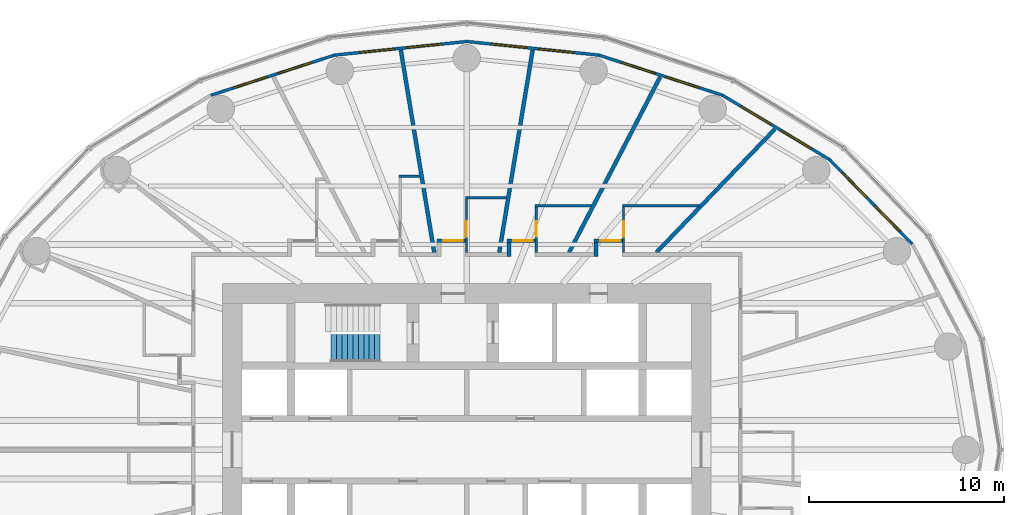
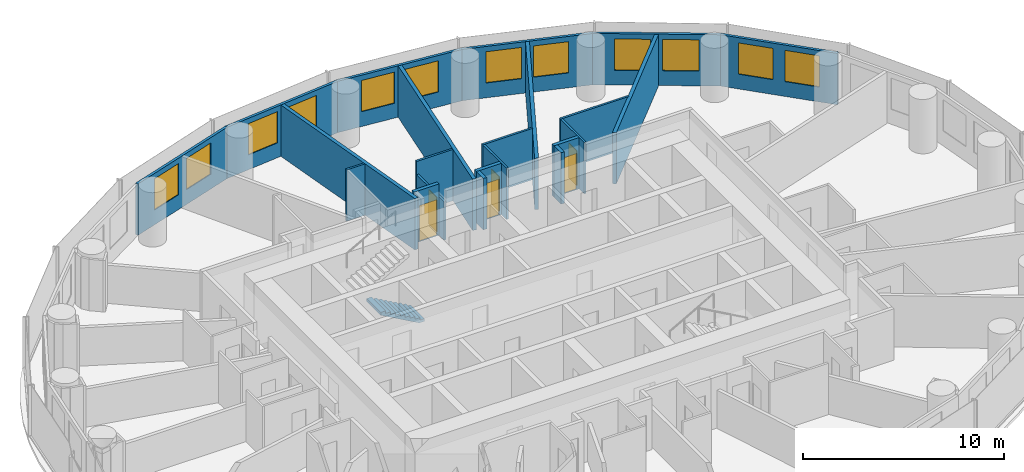
# One storey, part 12 of 14: 22 walls, 12 windows, 6 doors, 1 stair flight, 18 openings, 1 element without a shape of its own.
"""IFC4 building model written with IfcOpenShell, lengths in metres."""

from ifc_helpers import new_model, si_unit, direction, frame, frame_2d, origin, place, context, subcontext, project, spatial, polyline, rectangle, outline, extrude, material, layer, layer_set, type_object, element, fill, aggregate, save


model = new_model("IFC4")

# Units and contexts
model_context = context("Model", 3, precision=1e-05, world=origin(), true_north=direction((0.0, 1.0)))
body_context = subcontext(model_context, "Body", "Model", "MODEL_VIEW")
ifc_project = project(units=[si_unit("LENGTHUNIT", "METRE"), si_unit("AREAUNIT", "SQUARE_METRE"), si_unit("VOLUMEUNIT", "CUBIC_METRE"), si_unit("PLANEANGLEUNIT", "RADIAN"), si_unit("MASSUNIT", "GRAM", prefix="KILO")], contexts=[model_context])

# Site, building, storey
site_placement = place(None, origin())
site = spatial("IfcSite", under=ifc_project, at=site_placement, CompositionType="ELEMENT")
building_placement = place(site_placement, origin())
building = spatial("IfcBuilding", under=site, at=building_placement, Name="Hankou Lantern Tower", CompositionType="ELEMENT")
storey_placement = place(building_placement, frame((0.0, 0.0, 50.699951171875)))
storey = spatial("IfcBuildingStorey", under=building, at=storey_placement, Name="L11", CompositionType="ELEMENT", Elevation=50.699951171875)

# Wall, openings, windows
ifc_material_1 = material(Name="Aluminium spandrel panel on steel studs", Category="steel")
ifc_layer_1 = layer(ifc_material_1, 0.14990234375)
ifc_layer_set_1 = layer_set([ifc_layer_1], Name="Aluminium spandrel panel on steel studs")
wall_type_1 = type_object("IfcWallType", Name="EW1 INNER SKIN WALL 150", PredefinedType="ELEMENTEDWALL", material=ifc_layer_set_1)
wall_1_placement = place(storey_placement, frame((22.802734375, 10.5322265625, 0.0), z_axis=(0.0, 0.0, 1.0), x_axis=(-0.699602905915, 0.714531856557, 0.0)))
wall_1 = element("IfcWall", 1, at=wall_1_placement, inside=storey, type_object=wall_type_1, Name="Inner skin R03-R04 L11", PredefinedType="ELEMENTEDWALL", context=body_context, shape_type="SweptSolid", body=[
    extrude(rectangle(XDim=6.05078125, YDim=0.14990234375, at=frame_2d((3.025390625, 0.0))), origin(), (0.0, 0.0, 1.0), 3.1201171875),
])
opening_1_placement = place(wall_1_placement, frame((0.925537109375, 0.0, 0.89990234375)))
opening_1 = element("IfcOpeningElement", 2, at=opening_1_placement, cuts=wall_1, Name="Opening W1", PredefinedType="OPENING", context=body_context, shape_type="SweptSolid", body=[
    extrude(rectangle(XDim=1.800048828125, YDim=1.89990234375, at=frame_2d((0.89990234375, 0.949951171875))), frame((0.0, 0.0849609375, 0.0), z_axis=(0.0, -1.0, 0.0), x_axis=(1.0, 0.0, 0.0)), (0.0, 0.0, 1.0), 0.169921875),
])
opening_2_placement = place(wall_1_placement, frame((3.325439453125, 0.0, 0.89990234375)))
opening_2 = element("IfcOpeningElement", 3, at=opening_2_placement, cuts=wall_1, Name="Opening W1", PredefinedType="OPENING", context=body_context, shape_type="SweptSolid", body=[
    extrude(rectangle(XDim=1.800048828125, YDim=1.89990234375, at=frame_2d((0.89990234375, 0.949951171875))), frame((0.0, 0.0849609375, 0.0), z_axis=(0.0, -1.0, 0.0), x_axis=(1.0, 0.0, 0.0)), (0.0, 0.0, 1.0), 0.169921875),
])
ifc_material_2 = material(Name="Aluminium framed double glazed window", Category="aluminium")
window_type = type_object("IfcWindowType", Name="W1 GUEST ROOM WINDOW 1800X1900", PartitioningType="DOUBLE_PANEL_VERTICAL", PredefinedType="WINDOW", material=ifc_material_2)
window_1_placement = place(opening_1_placement, origin())
window_1 = element("IfcWindow", 4, at=window_1_placement, inside=storey, type_object=window_type, Name="Window R03.1 L11", OverallHeight=1.89990234375, OverallWidth=1.800048828125, PartitioningType="SINGLE_PANEL", PredefinedType="WINDOW", context=body_context, shape_type="SweptSolid", body=[
    extrude(rectangle(XDim=1.800048828125, YDim=1.89990234375, at=frame_2d((0.89990234375, 0.949951171875))), frame((0.0, 0.030029296875, 0.0), z_axis=(0.0, -1.0, 0.0), x_axis=(1.0, 0.0, 0.0)), (0.0, 0.0, 1.0), 0.06005859375),
])
fill(opening_1, window_1)
window_2_placement = place(opening_2_placement, origin())
window_2 = element("IfcWindow", 5, at=window_2_placement, inside=storey, type_object=window_type, Name="Window R03.2 L11", OverallHeight=1.89990234375, OverallWidth=1.800048828125, PartitioningType="SINGLE_PANEL", PredefinedType="WINDOW", context=body_context, shape_type="SweptSolid", body=[
    extrude(rectangle(XDim=1.800048828125, YDim=1.89990234375, at=frame_2d((0.89990234375, 0.949951171875))), frame((0.0, 0.030029296875, 0.0), z_axis=(0.0, -1.0, 0.0), x_axis=(1.0, 0.0, 0.0)), (0.0, 0.0, 1.0), 0.06005859375),
])
fill(opening_2, window_2)

wall_2_placement = place(storey_placement, frame((18.569580078125, 14.855712890625, 0.0), z_axis=(0.0, 0.0, 1.0), x_axis=(-0.856983180864, 0.515344377787, 0.0)))
wall_2 = element("IfcWall", 6, at=wall_2_placement, inside=storey, type_object=wall_type_1, Name="Inner skin R04-R05 L11", PredefinedType="ELEMENTEDWALL", context=body_context, shape_type="SweptSolid", body=[
    extrude(rectangle(XDim=6.386474609375, YDim=0.14990234375, at=frame_2d((3.193359375, 0.0))), origin(), (0.0, 0.0, 1.0), 3.1201171875),
])
opening_3_placement = place(wall_2_placement, frame((1.09326171875, 0.0, 0.89990234375)))
opening_3 = element("IfcOpeningElement", 7, at=opening_3_placement, cuts=wall_2, Name="Opening W1", PredefinedType="OPENING", context=body_context, shape_type="SweptSolid", body=[
    extrude(rectangle(XDim=1.800048828125, YDim=1.89990234375, at=frame_2d((0.89990234375, 0.949951171875))), frame((0.0, 0.0849609375, 0.0), z_axis=(0.0, -1.0, 0.0), x_axis=(1.0, 0.0, 0.0)), (0.0, 0.0, 1.0), 0.169921875),
])
opening_4_placement = place(wall_2_placement, frame((3.4931640625, 0.0, 0.89990234375)))
opening_4 = element("IfcOpeningElement", 8, at=opening_4_placement, cuts=wall_2, Name="Opening W1", PredefinedType="OPENING", context=body_context, shape_type="SweptSolid", body=[
    extrude(rectangle(XDim=1.800048828125, YDim=1.89990234375, at=frame_2d((0.89990234375, 0.949951171875))), frame((0.0, 0.0849609375, 0.0), z_axis=(0.0, -1.0, 0.0), x_axis=(1.0, 0.0, 0.0)), (0.0, 0.0, 1.0), 0.169921875),
])
window_3_placement = place(opening_3_placement, origin())
window_3 = element("IfcWindow", 9, at=window_3_placement, inside=storey, type_object=window_type, Name="Window R04.1 L11", OverallHeight=1.89990234375, OverallWidth=1.800048828125, PartitioningType="SINGLE_PANEL", PredefinedType="WINDOW", context=body_context, shape_type="SweptSolid", body=[
    extrude(rectangle(XDim=1.800048828125, YDim=1.89990234375, at=frame_2d((0.89990234375, 0.949951171875))), frame((0.0, 0.030029296875, 0.0), z_axis=(0.0, -1.0, 0.0), x_axis=(1.0, 0.0, 0.0)), (0.0, 0.0, 1.0), 0.06005859375),
])
fill(opening_3, window_3)
window_4_placement = place(opening_4_placement, origin())
window_4 = element("IfcWindow", 10, at=window_4_placement, inside=storey, type_object=window_type, Name="Window R04.2 L11", OverallHeight=1.89990234375, OverallWidth=1.800048828125, PartitioningType="SINGLE_PANEL", PredefinedType="WINDOW", context=body_context, shape_type="SweptSolid", body=[
    extrude(rectangle(XDim=1.800048828125, YDim=1.89990234375, at=frame_2d((0.89990234375, 0.949951171875))), frame((0.0, 0.030029296875, 0.0), z_axis=(0.0, -1.0, 0.0), x_axis=(1.0, 0.0, 0.0)), (0.0, 0.0, 1.0), 0.06005859375),
])
fill(opening_4, window_4)

wall_3_placement = place(storey_placement, frame((13.096435546875, 18.14697265625, 0.0), z_axis=(0.0, 0.0, 1.0), x_axis=(-0.951137534625, 0.308767534285, 0.0)))
wall_3 = element("IfcWall", 11, at=wall_3_placement, inside=storey, type_object=wall_type_1, Name="Inner skin R05-R06 L11", PredefinedType="ELEMENTEDWALL", context=body_context, shape_type="SweptSolid", body=[
    extrude(rectangle(XDim=6.6552734375, YDim=0.14990234375, at=frame_2d((3.32763671875, 0.0))), origin(), (0.0, 0.0, 1.0), 3.1201171875),
])
opening_5_placement = place(wall_3_placement, frame((1.2275390625, 0.0, 0.89990234375)))
opening_5 = element("IfcOpeningElement", 12, at=opening_5_placement, cuts=wall_3, Name="Opening W1", PredefinedType="OPENING", context=body_context, shape_type="SweptSolid", body=[
    extrude(rectangle(XDim=1.800048828125, YDim=1.89990234375, at=frame_2d((0.89990234375, 0.949951171875))), frame((0.0, 0.0849609375, 0.0), z_axis=(0.0, -1.0, 0.0), x_axis=(1.0, 0.0, 0.0)), (0.0, 0.0, 1.0), 0.169921875),
])
opening_6_placement = place(wall_3_placement, frame((3.627685546875, 0.0, 0.89990234375)))
opening_6 = element("IfcOpeningElement", 13, at=opening_6_placement, cuts=wall_3, Name="Opening W1", PredefinedType="OPENING", context=body_context, shape_type="SweptSolid", body=[
    extrude(rectangle(XDim=1.800048828125, YDim=1.89990234375, at=frame_2d((0.89990234375, 0.949951171875))), frame((0.0, 0.0849609375, 0.0), z_axis=(0.0, -1.0, 0.0), x_axis=(1.0, 0.0, 0.0)), (0.0, 0.0, 1.0), 0.169921875),
])
window_5_placement = place(opening_5_placement, origin())
window_5 = element("IfcWindow", 14, at=window_5_placement, inside=storey, type_object=window_type, Name="Window R05.1 L11", OverallHeight=1.89990234375, OverallWidth=1.800048828125, PartitioningType="SINGLE_PANEL", PredefinedType="WINDOW", context=body_context, shape_type="SweptSolid", body=[
    extrude(rectangle(XDim=1.800048828125, YDim=1.89990234375, at=frame_2d((0.89990234375, 0.949951171875))), frame((0.0, 0.030029296875, 0.0), z_axis=(0.0, -1.0, 0.0), x_axis=(1.0, 0.0, 0.0)), (0.0, 0.0, 1.0), 0.06005859375),
])
fill(opening_5, window_5)
window_6_placement = place(opening_6_placement, origin())
window_6 = element("IfcWindow", 15, at=window_6_placement, inside=storey, type_object=window_type, Name="Window R05.2 L11", OverallHeight=1.89990234375, OverallWidth=1.800048828125, PartitioningType="SINGLE_PANEL", PredefinedType="WINDOW", context=body_context, shape_type="SweptSolid", body=[
    extrude(rectangle(XDim=1.800048828125, YDim=1.89990234375, at=frame_2d((0.89990234375, 0.949951171875))), frame((0.0, 0.030029296875, 0.0), z_axis=(0.0, -1.0, 0.0), x_axis=(1.0, 0.0, 0.0)), (0.0, 0.0, 1.0), 0.06005859375),
])
fill(opening_6, window_6)

wall_4_placement = place(storey_placement, frame((6.766357421875, 20.201904296875, 0.0), z_axis=(0.0, 0.0, 1.0), x_axis=(-0.994721394369, 0.102612609291, 0.0)))
wall_4 = element("IfcWall", 16, at=wall_4_placement, inside=storey, type_object=wall_type_1, Name="Inner skin R06-R07 L11", PredefinedType="ELEMENTEDWALL", context=body_context, shape_type="SweptSolid", body=[
    extrude(rectangle(XDim=6.80224609375, YDim=0.14990234375, at=frame_2d((3.401123046875, 0.0))), origin(), (0.0, 0.0, 1.0), 3.1201171875),
])
opening_7_placement = place(wall_4_placement, frame((1.301025390625, 0.0, 0.89990234375)))
opening_7 = element("IfcOpeningElement", 17, at=opening_7_placement, cuts=wall_4, Name="Opening W1", PredefinedType="OPENING", context=body_context, shape_type="SweptSolid", body=[
    extrude(rectangle(XDim=1.800048828125, YDim=1.89990234375, at=frame_2d((0.89990234375, 0.949951171875))), frame((0.0, 0.0849609375, 0.0), z_axis=(0.0, -1.0, 0.0), x_axis=(1.0, 0.0, 0.0)), (0.0, 0.0, 1.0), 0.169921875),
])
opening_8_placement = place(wall_4_placement, frame((3.701171875, 0.0, 0.89990234375)))
opening_8 = element("IfcOpeningElement", 18, at=opening_8_placement, cuts=wall_4, Name="Opening W1", PredefinedType="OPENING", context=body_context, shape_type="SweptSolid", body=[
    extrude(rectangle(XDim=1.800048828125, YDim=1.89990234375, at=frame_2d((0.89990234375, 0.949951171875))), frame((0.0, 0.0849609375, 0.0), z_axis=(0.0, -1.0, 0.0), x_axis=(1.0, 0.0, 0.0)), (0.0, 0.0, 1.0), 0.169921875),
])
window_7_placement = place(opening_7_placement, origin())
window_7 = element("IfcWindow", 19, at=window_7_placement, inside=storey, type_object=window_type, Name="Window R06.1 L11", OverallHeight=1.89990234375, OverallWidth=1.800048828125, PartitioningType="SINGLE_PANEL", PredefinedType="WINDOW", context=body_context, shape_type="SweptSolid", body=[
    extrude(rectangle(XDim=1.800048828125, YDim=1.89990234375, at=frame_2d((0.89990234375, 0.949951171875))), frame((0.0, 0.030029296875, 0.0), z_axis=(0.0, -1.0, 0.0), x_axis=(1.0, 0.0, 0.0)), (0.0, 0.0, 1.0), 0.06005859375),
])
fill(opening_7, window_7)
window_8_placement = place(opening_8_placement, origin())
window_8 = element("IfcWindow", 20, at=window_8_placement, inside=storey, type_object=window_type, Name="Window R06.2 L11", OverallHeight=1.89990234375, OverallWidth=1.800048828125, PartitioningType="SINGLE_PANEL", PredefinedType="WINDOW", context=body_context, shape_type="SweptSolid", body=[
    extrude(rectangle(XDim=1.800048828125, YDim=1.89990234375, at=frame_2d((0.89990234375, 0.949951171875))), frame((0.0, 0.030029296875, 0.0), z_axis=(0.0, -1.0, 0.0), x_axis=(1.0, 0.0, 0.0)), (0.0, 0.0, 1.0), 0.06005859375),
])
fill(opening_8, window_8)

wall_5_placement = place(storey_placement, frame((0.0, 20.89990234375, 0.0), z_axis=(0.0, 0.0, 1.0), x_axis=(-0.994721394369, -0.102612609291, 0.0)))
wall_5 = element("IfcWall", 21, at=wall_5_placement, inside=storey, type_object=wall_type_1, Name="Inner skin R07-R08 L11", PredefinedType="ELEMENTEDWALL", context=body_context, shape_type="SweptSolid", body=[
    extrude(rectangle(XDim=6.80224609375, YDim=0.14990234375, at=frame_2d((3.401123046875, 0.0))), origin(), (0.0, 0.0, 1.0), 3.1201171875),
])
opening_9_placement = place(wall_5_placement, frame((1.301025390625, 0.0, 0.89990234375)))
opening_9 = element("IfcOpeningElement", 22, at=opening_9_placement, cuts=wall_5, Name="Opening W1", PredefinedType="OPENING", context=body_context, shape_type="SweptSolid", body=[
    extrude(rectangle(XDim=1.800048828125, YDim=1.89990234375, at=frame_2d((0.89990234375, 0.949951171875))), frame((0.0, 0.0849609375, 0.0), z_axis=(0.0, -1.0, 0.0), x_axis=(1.0, 0.0, 0.0)), (0.0, 0.0, 1.0), 0.169921875),
])
opening_10_placement = place(wall_5_placement, frame((3.701171875, 0.0, 0.89990234375)))
opening_10 = element("IfcOpeningElement", 23, at=opening_10_placement, cuts=wall_5, Name="Opening W1", PredefinedType="OPENING", context=body_context, shape_type="SweptSolid", body=[
    extrude(rectangle(XDim=1.800048828125, YDim=1.89990234375, at=frame_2d((0.89990234375, 0.949951171875))), frame((0.0, 0.0849609375, 0.0), z_axis=(0.0, -1.0, 0.0), x_axis=(1.0, 0.0, 0.0)), (0.0, 0.0, 1.0), 0.169921875),
])
window_9_placement = place(opening_9_placement, origin())
window_9 = element("IfcWindow", 24, at=window_9_placement, inside=storey, type_object=window_type, Name="Window R07.1 L11", OverallHeight=1.89990234375, OverallWidth=1.800048828125, PartitioningType="SINGLE_PANEL", PredefinedType="WINDOW", context=body_context, shape_type="SweptSolid", body=[
    extrude(rectangle(XDim=1.800048828125, YDim=1.89990234375, at=frame_2d((0.89990234375, 0.949951171875))), frame((0.0, 0.030029296875, 0.0), z_axis=(0.0, -1.0, 0.0), x_axis=(1.0, 0.0, 0.0)), (0.0, 0.0, 1.0), 0.06005859375),
])
fill(opening_9, window_9)
window_10_placement = place(opening_10_placement, origin())
window_10 = element("IfcWindow", 25, at=window_10_placement, inside=storey, type_object=window_type, Name="Window R07.2 L11", OverallHeight=1.89990234375, OverallWidth=1.800048828125, PartitioningType="SINGLE_PANEL", PredefinedType="WINDOW", context=body_context, shape_type="SweptSolid", body=[
    extrude(rectangle(XDim=1.800048828125, YDim=1.89990234375, at=frame_2d((0.89990234375, 0.949951171875))), frame((0.0, 0.030029296875, 0.0), z_axis=(0.0, -1.0, 0.0), x_axis=(1.0, 0.0, 0.0)), (0.0, 0.0, 1.0), 0.06005859375),
])
fill(opening_10, window_10)

wall_6_placement = place(storey_placement, frame((-6.766357421875, 20.201904296875, 0.0), z_axis=(0.0, 0.0, 1.0), x_axis=(-0.951137534625, -0.308767534285, 0.0)))
wall_6 = element("IfcWall", 26, at=wall_6_placement, inside=storey, type_object=wall_type_1, Name="Inner skin R08-R09 L11", PredefinedType="ELEMENTEDWALL", context=body_context, shape_type="SweptSolid", body=[
    extrude(rectangle(XDim=6.6552734375, YDim=0.14990234375, at=frame_2d((3.32763671875, 0.0))), origin(), (0.0, 0.0, 1.0), 3.1201171875),
])
opening_11_placement = place(wall_6_placement, frame((1.2275390625, 0.0, 0.89990234375)))
opening_11 = element("IfcOpeningElement", 27, at=opening_11_placement, cuts=wall_6, Name="Opening W1", PredefinedType="OPENING", context=body_context, shape_type="SweptSolid", body=[
    extrude(rectangle(XDim=1.800048828125, YDim=1.89990234375, at=frame_2d((0.89990234375, 0.949951171875))), frame((0.0, 0.0849609375, 0.0), z_axis=(0.0, -1.0, 0.0), x_axis=(1.0, 0.0, 0.0)), (0.0, 0.0, 1.0), 0.169921875),
])
opening_12_placement = place(wall_6_placement, frame((3.627685546875, 0.0, 0.89990234375)))
opening_12 = element("IfcOpeningElement", 28, at=opening_12_placement, cuts=wall_6, Name="Opening W1", PredefinedType="OPENING", context=body_context, shape_type="SweptSolid", body=[
    extrude(rectangle(XDim=1.800048828125, YDim=1.89990234375, at=frame_2d((0.89990234375, 0.949951171875))), frame((0.0, 0.0849609375, 0.0), z_axis=(0.0, -1.0, 0.0), x_axis=(1.0, 0.0, 0.0)), (0.0, 0.0, 1.0), 0.169921875),
])
window_11_placement = place(opening_11_placement, origin())
window_11 = element("IfcWindow", 29, at=window_11_placement, inside=storey, type_object=window_type, Name="Window R08.1 L11", OverallHeight=1.89990234375, OverallWidth=1.800048828125, PartitioningType="SINGLE_PANEL", PredefinedType="WINDOW", context=body_context, shape_type="SweptSolid", body=[
    extrude(rectangle(XDim=1.800048828125, YDim=1.89990234375, at=frame_2d((0.89990234375, 0.949951171875))), frame((0.0, 0.030029296875, 0.0), z_axis=(0.0, -1.0, 0.0), x_axis=(1.0, 0.0, 0.0)), (0.0, 0.0, 1.0), 0.06005859375),
])
fill(opening_11, window_11)
window_12_placement = place(opening_12_placement, origin())
window_12 = element("IfcWindow", 30, at=window_12_placement, inside=storey, type_object=window_type, Name="Window R08.2 L11", OverallHeight=1.89990234375, OverallWidth=1.800048828125, PartitioningType="SINGLE_PANEL", PredefinedType="WINDOW", context=body_context, shape_type="SweptSolid", body=[
    extrude(rectangle(XDim=1.800048828125, YDim=1.89990234375, at=frame_2d((0.89990234375, 0.949951171875))), frame((0.0, 0.030029296875, 0.0), z_axis=(0.0, -1.0, 0.0), x_axis=(1.0, 0.0, 0.0)), (0.0, 0.0, 1.0), 0.06005859375),
])
fill(opening_12, window_12)

# Walls
ifc_material_3 = material(Name="Masonry lightweight concrete block", Category="masonry")
ifc_layer_2 = layer(ifc_material_3, 0.199951171875)
ifc_layer_set_2 = layer_set([ifc_layer_2], Name="Masonry lightweight concrete block")
wall_type_2 = type_object("IfcWallType", Name="IW1 GUEST ROOM PARTY WALL 200", PredefinedType="PARTITIONING", material=ifc_layer_set_2)
wall_7_placement = place(storey_placement, frame((9.705078125, 10.10009765625, 0.0), z_axis=(0.0, 0.0, 1.0), x_axis=(0.692879226267, 0.721053658064, 0.0)))
element("IfcWall", 31, at=wall_7_placement, inside=storey, type_object=wall_type_2, Name="Party wall R04-R05", PredefinedType="PARTITIONING", context=body_context, shape_type="SweptSolid", body=[
    extrude(rectangle(XDim=8.7607421875, YDim=0.199951171875, at=frame_2d((4.38037109375, 0.0))), origin(), (0.0, 0.0, 1.0), 3.1201171875),
])
wall_8_placement = place(storey_placement, frame((5.238525390625, 10.10009765625, 0.0), z_axis=(0.0, 0.0, 1.0), x_axis=(0.460422783389, 0.887699758103, 0.0)))
element("IfcWall", 32, at=wall_8_placement, inside=storey, type_object=wall_type_2, Name="Party wall R05-R06", PredefinedType="PARTITIONING", context=body_context, shape_type="SweptSolid", body=[
    extrude(rectangle(XDim=10.120361328125, YDim=0.199951171875, at=frame_2d((5.06005859375, 0.0))), origin(), (0.0, 0.0, 1.0), 3.1201171875),
])
for number, where, z_axis, x_axis, name in (
    (33, (1.6650390625, 10.10009765625, 0.0), (0.0, 0.0, 1.0), (0.162657606458, 0.986682574621, 0.0), "Party wall R06-R07"),
    (34, (-1.6650390625, 10.10009765625, 0.0), (0.0, 0.0, 1.0), (-0.162657606458, 0.986682574621, 0.0), "Party wall R07-R08"),
):
    element("IfcWall", number, at=place(storey_placement, frame(where, z_axis=z_axis, x_axis=x_axis)), inside=storey, type_object=wall_type_2, Name=name, PredefinedType="PARTITIONING", context=body_context, shape_type="SweptSolid", body=[
        extrude(rectangle(XDim=10.505126953125, YDim=0.199951171875, at=frame_2d((5.25244140625, 0.0))), origin(), (0.0, 0.0, 1.0), 3.1201171875),
    ])

# Wall, opening, door
ifc_material_4 = material(Name="Masonry lightweight concrete block", Category="masonry")
ifc_layer_3 = layer(ifc_material_4, 0.199951171875)
ifc_layer_set_3 = layer_set([ifc_layer_3], Name="Masonry lightweight concrete block")
wall_type_3 = type_object("IfcWallType", Name="IW2 CORRIDOR WALL 200", PredefinedType="PARTITIONING", material=ifc_layer_set_3)
wall_9_placement = place(storey_placement, frame((6.525146484375, 10.699951171875, 0.0), z_axis=(0.0, 0.0, 1.0), x_axis=(1.0, 0.0, 0.0)))
wall_9 = element("IfcWall", 35, at=wall_9_placement, inside=storey, type_object=wall_type_3, Name="Corridor recess wall 1101 back", PredefinedType="PARTITIONING", context=body_context, shape_type="SweptSolid", body=[
    extrude(rectangle(XDim=1.43994140625, YDim=0.199951171875, at=frame_2d((0.719970703125, 0.0))), origin(), (0.0, 0.0, 1.0), 3.1201171875),
])
opening_13_placement = place(wall_9_placement, frame((0.320068359375, 0.0, 0.0)))
opening_13 = element("IfcOpeningElement", 36, at=opening_13_placement, cuts=wall_9, Name="Opening D1", PredefinedType="OPENING", context=body_context, shape_type="SweptSolid", body=[
    extrude(rectangle(XDim=1.0, YDim=2.199951171875, at=frame_2d((0.5, 1.10009765625))), frame((0.0, 0.10986328125, 0.0), z_axis=(0.0, -1.0, 0.0), x_axis=(1.0, 0.0, 0.0)), (0.0, 0.0, 1.0), 0.219970703125),
])
ifc_material_5 = material(Name="Steel door leaf", Category="steel")
door_type_1 = type_object("IfcDoorType", Name="D1 GUEST ROOM DOOR 1000X2200", OperationType="SINGLE_SWING_LEFT", PredefinedType="DOOR", material=ifc_material_5)
door_1_placement = place(opening_13_placement, origin())
door_1 = element("IfcDoor", 37, at=door_1_placement, inside=storey, type_object=door_type_1, Name="Guest room door 1101", OperationType="SINGLE_SWING_RIGHT", OverallHeight=2.199951171875, OverallWidth=1.0, PredefinedType="DOOR", context=body_context, shape_type="SweptSolid", body=[
    extrude(rectangle(XDim=1.0, YDim=2.199951171875, at=frame_2d((0.5, 1.10009765625))), frame((0.0, 0.02490234375, 0.0), z_axis=(0.0, -1.0, 0.0), x_axis=(1.0, 0.0, 0.0)), (0.0, 0.0, 1.0), 0.050048828125),
])
fill(opening_13, door_1)

# Wall
wall_10_placement = place(storey_placement, frame((6.625, 9.89990234375, 0.0), z_axis=(0.0, 0.0, 1.0), x_axis=(0.0, 1.0, 0.0)))
element("IfcWall", 38, at=wall_10_placement, inside=storey, type_object=wall_type_3, Name="Corridor recess wall 1101 side", PredefinedType="PARTITIONING", context=body_context, shape_type="SweptSolid", body=[
    extrude(rectangle(XDim=0.7001953125, YDim=0.199951171875, at=frame_2d((0.35009765625, 0.0))), origin(), (0.0, 0.0, 1.0), 3.1201171875),
])

# Wall, opening, door
wall_11_placement = place(storey_placement, frame((2.05859375, 10.699951171875, 0.0), z_axis=(0.0, 0.0, 1.0), x_axis=(1.0, 0.0, 0.0)))
wall_11 = element("IfcWall", 39, at=wall_11_placement, inside=storey, type_object=wall_type_3, Name="Corridor recess wall 1102 back", PredefinedType="PARTITIONING", context=body_context, shape_type="SweptSolid", body=[
    extrude(rectangle(XDim=1.43994140625, YDim=0.199951171875, at=frame_2d((0.719970703125, 0.0))), origin(), (0.0, 0.0, 1.0), 3.1201171875),
])
opening_14_placement = place(wall_11_placement, frame((0.320068359375, 0.0, 0.0)))
opening_14 = element("IfcOpeningElement", 40, at=opening_14_placement, cuts=wall_11, Name="Opening D1", PredefinedType="OPENING", context=body_context, shape_type="SweptSolid", body=[
    extrude(rectangle(XDim=1.0, YDim=2.199951171875, at=frame_2d((0.5, 1.10009765625))), frame((0.0, 0.10986328125, 0.0), z_axis=(0.0, -1.0, 0.0), x_axis=(1.0, 0.0, 0.0)), (0.0, 0.0, 1.0), 0.219970703125),
])
door_2_placement = place(opening_14_placement, origin())
door_2 = element("IfcDoor", 41, at=door_2_placement, inside=storey, type_object=door_type_1, Name="Guest room door 1102", OperationType="SINGLE_SWING_RIGHT", OverallHeight=2.199951171875, OverallWidth=1.0, PredefinedType="DOOR", context=body_context, shape_type="SweptSolid", body=[
    extrude(rectangle(XDim=1.0, YDim=2.199951171875, at=frame_2d((0.5, 1.10009765625))), frame((0.0, 0.02490234375, 0.0), z_axis=(0.0, -1.0, 0.0), x_axis=(1.0, 0.0, 0.0)), (0.0, 0.0, 1.0), 0.050048828125),
])
fill(opening_14, door_2)

# Wall
wall_12_placement = place(storey_placement, frame((2.15869140625, 9.89990234375, 0.0), z_axis=(0.0, 0.0, 1.0), x_axis=(0.0, 1.0, 0.0)))
element("IfcWall", 42, at=wall_12_placement, inside=storey, type_object=wall_type_3, Name="Corridor recess wall 1102 side", PredefinedType="PARTITIONING", context=body_context, shape_type="SweptSolid", body=[
    extrude(rectangle(XDim=0.7001953125, YDim=0.199951171875, at=frame_2d((0.35009765625, 0.0))), origin(), (0.0, 0.0, 1.0), 3.1201171875),
])

# Wall, opening, door
wall_13_placement = place(storey_placement, frame((-1.51513671875, 10.699951171875, 0.0), z_axis=(0.0, 0.0, 1.0), x_axis=(1.0, 0.0, 0.0)))
wall_13 = element("IfcWall", 43, at=wall_13_placement, inside=storey, type_object=wall_type_3, Name="Corridor recess wall 1103 back", PredefinedType="PARTITIONING", context=body_context, shape_type="SweptSolid", body=[
    extrude(rectangle(XDim=1.440185546875, YDim=0.199951171875, at=frame_2d((0.72021484375, 0.0))), origin(), (0.0, 0.0, 1.0), 3.1201171875),
])
opening_15_placement = place(wall_13_placement, frame((0.320068359375, 0.0, 0.0)))
opening_15 = element("IfcOpeningElement", 44, at=opening_15_placement, cuts=wall_13, Name="Opening D1", PredefinedType="OPENING", context=body_context, shape_type="SweptSolid", body=[
    extrude(rectangle(XDim=1.0, YDim=2.199951171875, at=frame_2d((0.5, 1.10009765625))), frame((0.0, 0.10986328125, 0.0), z_axis=(0.0, -1.0, 0.0), x_axis=(1.0, 0.0, 0.0)), (0.0, 0.0, 1.0), 0.219970703125),
])
door_3_placement = place(opening_15_placement, origin())
door_3 = element("IfcDoor", 45, at=door_3_placement, inside=storey, type_object=door_type_1, Name="Guest room door 1103", OperationType="SINGLE_SWING_RIGHT", OverallHeight=2.199951171875, OverallWidth=1.0, PredefinedType="DOOR", context=body_context, shape_type="SweptSolid", body=[
    extrude(rectangle(XDim=1.0, YDim=2.199951171875, at=frame_2d((0.5, 1.10009765625))), frame((0.0, 0.02490234375, 0.0), z_axis=(0.0, -1.0, 0.0), x_axis=(1.0, 0.0, 0.0)), (0.0, 0.0, 1.0), 0.050048828125),
])
fill(opening_15, door_3)

# Wall
ifc_material_6 = material(Name="Masonry lightweight concrete block", Category="masonry")
ifc_layer_4 = layer(ifc_material_6, 0.1201171875)
ifc_layer_set_4 = layer_set([ifc_layer_4], Name="Masonry lightweight concrete block")
wall_type_4 = type_object("IfcWallType", Name="IW3 BATHROOM WALL 120", PredefinedType="PARTITIONING", material=ifc_layer_set_4)
wall_14_placement = place(storey_placement, frame((11.911376953125, 12.5, 0.0), z_axis=(0.0, 0.0, 1.0), x_axis=(-1.0, 0.0, 0.0)))
element("IfcWall", 46, at=wall_14_placement, inside=storey, type_object=wall_type_4, Name="Box wall 1101 1", PredefinedType="PARTITIONING", context=body_context, shape_type="SweptSolid", body=[
    extrude(rectangle(XDim=3.9462890625, YDim=0.1201171875, at=frame_2d((1.97314453125, 0.0))), origin(), (0.0, 0.0, 1.0), 3.1201171875),
])

# Wall, opening, door
wall_15_placement = place(storey_placement, frame((8.025146484375, 10.10009765625, 0.0), z_axis=(0.0, 0.0, 1.0), x_axis=(0.0, 1.0, 0.0)))
wall_15 = element("IfcWall", 47, at=wall_15_placement, inside=storey, type_object=wall_type_4, Name="Box wall 1101 1", PredefinedType="PARTITIONING", context=body_context, shape_type="SweptSolid", body=[
    extrude(rectangle(XDim=2.33984375, YDim=0.1201171875, at=frame_2d((1.169921875, 0.0))), origin(), (0.0, 0.0, 1.0), 3.1201171875),
])
opening_16_placement = place(wall_15_placement, frame((0.800048828125, 0.0, 0.0)))
opening_16 = element("IfcOpeningElement", 48, at=opening_16_placement, cuts=wall_15, Name="Opening D3", PredefinedType="OPENING", context=body_context, shape_type="SweptSolid", body=[
    extrude(rectangle(XDim=0.800048828125, YDim=2.10009765625, at=frame_2d((0.39990234375, 1.050048828125))), frame((0.0, 0.070068359375, 0.0), z_axis=(0.0, -1.0, 0.0), x_axis=(1.0, 0.0, 0.0)), (0.0, 0.0, 1.0), 0.14013671875),
])
ifc_material_7 = material(Name="Timber door leaf", Category="wood")
door_type_2 = type_object("IfcDoorType", Name="D3 BATHROOM DOOR 800X2100", OperationType="SINGLE_SWING_LEFT", PredefinedType="DOOR", material=ifc_material_7)
door_4_placement = place(opening_16_placement, origin())
door_4 = element("IfcDoor", 49, at=door_4_placement, inside=storey, type_object=door_type_2, Name="En-suite bathroom 1101 door", OperationType="SINGLE_SWING_LEFT", OverallHeight=2.10009765625, OverallWidth=0.800048828125, PredefinedType="DOOR", context=body_context, shape_type="SweptSolid", body=[
    extrude(rectangle(XDim=0.800048828125, YDim=2.10009765625, at=frame_2d((0.39990234375, 1.050048828125))), frame((0.0, 0.02490234375, 0.0), z_axis=(0.0, -1.0, 0.0), x_axis=(1.0, 0.0, 0.0)), (0.0, 0.0, 1.0), 0.050048828125),
])
fill(opening_16, door_4)

# Wall
wall_16_placement = place(storey_placement, frame((6.38330078125, 12.5, 0.0), z_axis=(0.0, 0.0, 1.0), x_axis=(-1.0, 0.0, 0.0)))
element("IfcWall", 50, at=wall_16_placement, inside=storey, type_object=wall_type_4, Name="Box wall 1102 1", PredefinedType="PARTITIONING", context=body_context, shape_type="SweptSolid", body=[
    extrude(rectangle(XDim=2.884765625, YDim=0.1201171875, at=frame_2d((1.4423828125, 0.0))), origin(), (0.0, 0.0, 1.0), 3.1201171875),
])

# Wall, opening, door
wall_17_placement = place(storey_placement, frame((3.55859375, 10.10009765625, 0.0), z_axis=(0.0, 0.0, 1.0), x_axis=(0.0, 1.0, 0.0)))
wall_17 = element("IfcWall", 51, at=wall_17_placement, inside=storey, type_object=wall_type_4, Name="Box wall 1102 1", PredefinedType="PARTITIONING", context=body_context, shape_type="SweptSolid", body=[
    extrude(rectangle(XDim=2.33984375, YDim=0.1201171875, at=frame_2d((1.169921875, 0.0))), origin(), (0.0, 0.0, 1.0), 3.1201171875),
])
opening_17_placement = place(wall_17_placement, frame((0.800048828125, 0.0, 0.0)))
opening_17 = element("IfcOpeningElement", 52, at=opening_17_placement, cuts=wall_17, Name="Opening D3", PredefinedType="OPENING", context=body_context, shape_type="SweptSolid", body=[
    extrude(rectangle(XDim=0.800048828125, YDim=2.10009765625, at=frame_2d((0.39990234375, 1.050048828125))), frame((0.0, 0.070068359375, 0.0), z_axis=(0.0, -1.0, 0.0), x_axis=(1.0, 0.0, 0.0)), (0.0, 0.0, 1.0), 0.14013671875),
])
door_5_placement = place(opening_17_placement, origin())
door_5 = element("IfcDoor", 53, at=door_5_placement, inside=storey, type_object=door_type_2, Name="En-suite bathroom 1102 door", OperationType="SINGLE_SWING_LEFT", OverallHeight=2.10009765625, OverallWidth=0.800048828125, PredefinedType="DOOR", context=body_context, shape_type="SweptSolid", body=[
    extrude(rectangle(XDim=0.800048828125, YDim=2.10009765625, at=frame_2d((0.39990234375, 1.050048828125))), frame((0.0, 0.02490234375, 0.0), z_axis=(0.0, -1.0, 0.0), x_axis=(1.0, 0.0, 0.0)), (0.0, 0.0, 1.0), 0.050048828125),
])
fill(opening_17, door_5)

# Wall
wall_18_placement = place(storey_placement, frame((2.026611328125, 12.89990234375, 0.0), z_axis=(0.0, 0.0, 1.0), x_axis=(-1.0, 0.0, 0.0)))
element("IfcWall", 54, at=wall_18_placement, inside=storey, type_object=wall_type_4, Name="Box wall 1103 1", PredefinedType="PARTITIONING", context=body_context, shape_type="SweptSolid", body=[
    extrude(rectangle(XDim=2.1015625, YDim=0.1201171875, at=frame_2d((1.05078125, 0.0))), origin(), (0.0, 0.0, 1.0), 3.1201171875),
])

# Wall, opening, door
wall_19_placement = place(storey_placement, frame((-0.01513671875, 10.10009765625, 0.0), z_axis=(0.0, 0.0, 1.0), x_axis=(0.0, 1.0, 0.0)))
wall_19 = element("IfcWall", 55, at=wall_19_placement, inside=storey, type_object=wall_type_4, Name="Box wall 1103 1", PredefinedType="PARTITIONING", context=body_context, shape_type="SweptSolid", body=[
    extrude(rectangle(XDim=2.739990234375, YDim=0.1201171875, at=frame_2d((1.3701171875, 0.0))), origin(), (0.0, 0.0, 1.0), 2.320068359375),
])
opening_18_placement = place(wall_19_placement, frame((0.800048828125, 0.0, 0.0)))
opening_18 = element("IfcOpeningElement", 56, at=opening_18_placement, cuts=wall_19, Name="Opening D3", PredefinedType="OPENING", context=body_context, shape_type="SweptSolid", body=[
    extrude(rectangle(XDim=0.800048828125, YDim=2.10009765625, at=frame_2d((0.39990234375, 1.050048828125))), frame((0.0, 0.070068359375, 0.0), z_axis=(0.0, -1.0, 0.0), x_axis=(1.0, 0.0, 0.0)), (0.0, 0.0, 1.0), 0.14013671875),
])
door_6_placement = place(opening_18_placement, origin())
door_6 = element("IfcDoor", 57, at=door_6_placement, inside=storey, type_object=door_type_2, Name="En-suite bathroom 1103 door", OperationType="SINGLE_SWING_LEFT", OverallHeight=2.10009765625, OverallWidth=0.800048828125, PredefinedType="DOOR", context=body_context, shape_type="SweptSolid", body=[
    extrude(rectangle(XDim=0.800048828125, YDim=2.10009765625, at=frame_2d((0.39990234375, 1.050048828125))), frame((0.0, 0.02490234375, 0.0), z_axis=(0.0, -1.0, 0.0), x_axis=(1.0, 0.0, 0.0)), (0.0, 0.0, 1.0), 0.050048828125),
])
fill(opening_18, door_6)

# Wall
wall_20_placement = place(storey_placement, frame((-2.407958984375, 14.0, 0.0), z_axis=(0.0, 0.0, 1.0), x_axis=(-1.0, 0.0, 0.0)))
element("IfcWall", 58, at=wall_20_placement, inside=storey, type_object=wall_type_4, Name="Box wall 1104 1", PredefinedType="PARTITIONING", context=body_context, shape_type="SweptSolid", body=[
    extrude(rectangle(XDim=1.047119140625, YDim=0.1201171875, at=frame_2d((0.5234375, 0.0))), origin(), (0.0, 0.0, 1.0), 3.1201171875),
])

# Stair, stair flight
ifc_material_8 = material(Name="Concrete C40", Category="concrete")
stair_type = type_object("IfcStairType", Name="ST33 CORE STAIR 3300 RISE", PredefinedType="HALF_TURN_STAIR", material=ifc_material_8)
stair_placement = place(storey_placement, origin())
stair = element("IfcStair", 59, at=stair_placement, inside=storey, type_object=stair_type, Name="Stair STA L11", PredefinedType="HALF_TURN_STAIR")
ifc_material_9 = material(Name="Concrete C40", Category="concrete")
stair_flight_type = type_object("IfcStairFlightType", Name="CF10 CORE STAIR FLIGHT 1400 X 10 RISERS", PredefinedType="STRAIGHT", material=ifc_material_9)
stair_flight_placement = place(storey_placement, frame((-4.429931640625, 5.199951171875, 0.0), z_axis=(0.0, 0.0, 1.0), x_axis=(-1.0, 0.0, 0.0)))
stair_flight = element("IfcStairFlight", 60, at=stair_flight_placement, type_object=stair_flight_type, Name="STA flight 1", NumberOfRisers=10, NumberOfTreads=9, PredefinedType="STRAIGHT", RiserHeight=0.157142857, TreadLength=0.28, context=body_context, shape_type="SweptSolid", body=[
    extrude(outline(polyline([(0.0, 0.0), (0.0, 0.1572265625), (0.280029296875, 0.1572265625), (0.280029296875, 0.314208984375), (0.56005859375, 0.314208984375), (0.56005859375, 0.471435546875), (0.840087890625, 0.471435546875), (0.840087890625, 0.628662109375), (1.1201171875, 0.628662109375), (1.1201171875, 0.78564453125), (1.39990234375, 0.78564453125), (1.39990234375, 0.94287109375), (1.679931640625, 0.94287109375), (1.679931640625, 1.10009765625), (1.9599609375, 1.10009765625), (1.9599609375, 1.257080078125), (2.239990234375, 1.257080078125), (2.239990234375, 1.414306640625), (2.52001953125, 1.414306640625), (2.52001953125, 1.571533203125), (2.52001953125, 1.242431640625), (0.306396484375, 0.0), (0.0, 0.0)])), frame((0.0, 0.699951171875, 0.0), z_axis=(0.0, -1.0, 0.0), x_axis=(1.0, 0.0, 0.0)), (0.0, 0.0, 1.0), 1.39990234375),
])
aggregate(stair, [stair_flight])

save(model, "model.ifc")
